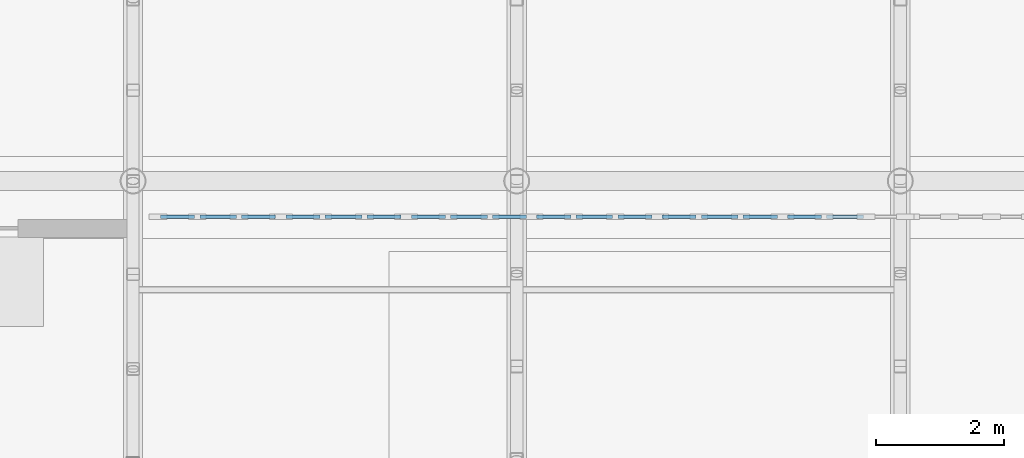
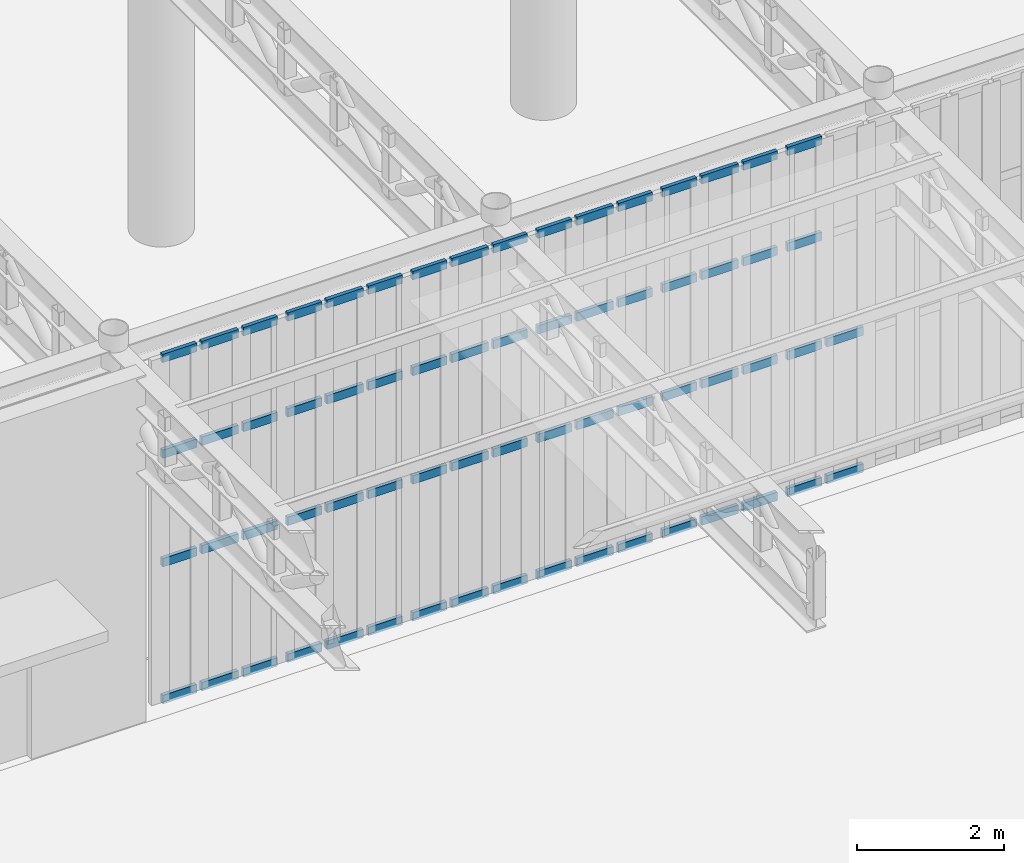
# One storey, part 52 of 118: 66 members, 6 elements without a shape of their own.
"""IFC4 building model written with IfcOpenShell, lengths in metres."""

from ifc_helpers import new_model, si_unit, direction, frame, origin, origin_2d, place, context, subcontext, project, spatial, rectangle, extrude, material, material_profile, profile_set, type_object, element, aggregate, save


model = new_model("IFC4")

# Units and contexts
model_context = context("Model", 3, precision=1e-05, world=origin(), true_north=direction((0.0, 1.0)))
body_context = subcontext(model_context, "Body", "Model", "MODEL_VIEW")
ifc_project = project(units=[si_unit("LENGTHUNIT", "METRE"), si_unit("AREAUNIT", "SQUARE_METRE"), si_unit("VOLUMEUNIT", "CUBIC_METRE"), si_unit("PLANEANGLEUNIT", "RADIAN"), si_unit("MASSUNIT", "GRAM", prefix="KILO")], contexts=[model_context])

# Site, building, storey
site_placement = place(None, origin())
site = spatial("IfcSite", under=ifc_project, at=site_placement, CompositionType="ELEMENT")
building_placement = place(site_placement, origin())
building = spatial("IfcBuilding", under=site, at=building_placement, Name="Kolvaren Corner Interchange", CompositionType="ELEMENT")
storey_placement = place(building_placement, origin())
storey = spatial("IfcBuildingStorey", under=building, at=storey_placement, Name="L01", CompositionType="ELEMENT", Elevation=0.0)

# Curtain wall, members
ifc_material_1 = material(Name="Unitised Aluminium and Solar-Control Glass Curtain Wall", Category="aluminium")
curtain_wall_type = type_object("IfcCurtainWallType", Name="CW-V1-PORTAL", PredefinedType="NOTDEFINED", material=ifc_material_1)
curtain_wall_1_placement = place(storey_placement, origin())
curtain_wall_1 = element("IfcCurtainWall", 1, at=curtain_wall_1_placement, inside=storey, type_object=curtain_wall_type, Name="South Portal Ground Curtain Wall Bay 01", PredefinedType="NOTDEFINED")
ifc_material_2 = material(Name="Anodised Aluminium Framing", Category="aluminium")
ifc_material_profile = material_profile(ifc_material_2, rectangle(XDim=0.06005859375, YDim=0.139892578125, at=origin_2d()), Name="ALU 60x140")
ifc_profile_set = profile_set([ifc_material_profile], Name="Anodised Aluminium Framing")
member_type = type_object("IfcMemberType", Name="TRN-ALU60x140", PredefinedType="USERDEFINED", material=ifc_profile_set)
member_1_placement = place(storey_placement, frame((72.429931640625, 24.340087890625, 0.030029296875), z_axis=(1.0, 0.0, 0.0), x_axis=(0.0, 1.0, 0.0)))
member_1 = element("IfcMember", 2, at=member_1_placement, type_object=member_type, Name="CW-001 transom 1.1", ObjectType="TRANSOM", PredefinedType="USERDEFINED", context=body_context, shape_type="SweptSolid", body=[
    extrude(rectangle(XDim=0.06005859375, YDim=0.139892578125, at=origin_2d()), origin(), (0.0, 0.0, 1.0), 0.53369140625),
])
member_2_placement = place(storey_placement, frame((72.429931640625, 24.340087890625, 2.300048828125), z_axis=(1.0, 0.0, 0.0), x_axis=(0.0, 1.0, 0.0)))
member_2 = element("IfcMember", 3, at=member_2_placement, type_object=member_type, Name="CW-001 transom 1.2", ObjectType="TRANSOM", PredefinedType="USERDEFINED", context=body_context, shape_type="SweptSolid", body=[
    extrude(rectangle(XDim=0.06005859375, YDim=0.139892578125, at=origin_2d()), origin(), (0.0, 0.0, 1.0), 0.53369140625),
])
member_3_placement = place(storey_placement, frame((72.429931640625, 24.340087890625, 4.10009765625), z_axis=(1.0, 0.0, 0.0), x_axis=(0.0, 1.0, 0.0)))
member_3 = element("IfcMember", 4, at=member_3_placement, type_object=member_type, Name="CW-001 transom 1.3", ObjectType="TRANSOM", PredefinedType="USERDEFINED", context=body_context, shape_type="SweptSolid", body=[
    extrude(rectangle(XDim=0.06005859375, YDim=0.139892578125, at=origin_2d()), origin(), (0.0, 0.0, 1.0), 0.53369140625),
])
member_4_placement = place(storey_placement, frame((72.429931640625, 24.340087890625, 5.68994140625), z_axis=(1.0, 0.0, 0.0), x_axis=(0.0, 1.0, 0.0)))
member_4 = element("IfcMember", 5, at=member_4_placement, type_object=member_type, Name="CW-001 transom 1.4", ObjectType="TRANSOM", PredefinedType="USERDEFINED", context=body_context, shape_type="SweptSolid", body=[
    extrude(rectangle(XDim=0.06005859375, YDim=0.139892578125, at=origin_2d()), origin(), (0.0, 0.0, 1.0), 0.53369140625),
])
member_5_placement = place(storey_placement, frame((73.043701171875, 24.340087890625, 0.030029296875), z_axis=(1.0, 0.0, 0.0), x_axis=(0.0, 1.0, 0.0)))
member_5 = element("IfcMember", 6, at=member_5_placement, type_object=member_type, Name="CW-001 transom 2.1", ObjectType="TRANSOM", PredefinedType="USERDEFINED", context=body_context, shape_type="SweptSolid", body=[
    extrude(rectangle(XDim=0.06005859375, YDim=0.139892578125, at=origin_2d()), origin(), (0.0, 0.0, 1.0), 0.57373046875),
])
member_6_placement = place(storey_placement, frame((73.043701171875, 24.340087890625, 2.300048828125), z_axis=(1.0, 0.0, 0.0), x_axis=(0.0, 1.0, 0.0)))
member_6 = element("IfcMember", 7, at=member_6_placement, type_object=member_type, Name="CW-001 transom 2.2", ObjectType="TRANSOM", PredefinedType="USERDEFINED", context=body_context, shape_type="SweptSolid", body=[
    extrude(rectangle(XDim=0.06005859375, YDim=0.139892578125, at=origin_2d()), origin(), (0.0, 0.0, 1.0), 0.57373046875),
])
member_7_placement = place(storey_placement, frame((73.043701171875, 24.340087890625, 4.10009765625), z_axis=(1.0, 0.0, 0.0), x_axis=(0.0, 1.0, 0.0)))
member_7 = element("IfcMember", 8, at=member_7_placement, type_object=member_type, Name="CW-001 transom 2.3", ObjectType="TRANSOM", PredefinedType="USERDEFINED", context=body_context, shape_type="SweptSolid", body=[
    extrude(rectangle(XDim=0.06005859375, YDim=0.139892578125, at=origin_2d()), origin(), (0.0, 0.0, 1.0), 0.57373046875),
])
member_8_placement = place(storey_placement, frame((73.043701171875, 24.340087890625, 5.68994140625), z_axis=(1.0, 0.0, 0.0), x_axis=(0.0, 1.0, 0.0)))
member_8 = element("IfcMember", 9, at=member_8_placement, type_object=member_type, Name="CW-001 transom 2.4", ObjectType="TRANSOM", PredefinedType="USERDEFINED", context=body_context, shape_type="SweptSolid", body=[
    extrude(rectangle(XDim=0.06005859375, YDim=0.139892578125, at=origin_2d()), origin(), (0.0, 0.0, 1.0), 0.57373046875),
])
member_9_placement = place(storey_placement, frame((73.697509765625, 24.340087890625, 0.030029296875), z_axis=(1.0, 0.0, 0.0), x_axis=(0.0, 1.0, 0.0)))
member_9 = element("IfcMember", 10, at=member_9_placement, type_object=member_type, Name="CW-001 transom 3.1", ObjectType="TRANSOM", PredefinedType="USERDEFINED", context=body_context, shape_type="SweptSolid", body=[
    extrude(rectangle(XDim=0.06005859375, YDim=0.139892578125, at=origin_2d()), origin(), (0.0, 0.0, 1.0), 0.53369140625),
])
member_10_placement = place(storey_placement, frame((73.697509765625, 24.340087890625, 2.300048828125), z_axis=(1.0, 0.0, 0.0), x_axis=(0.0, 1.0, 0.0)))
member_10 = element("IfcMember", 11, at=member_10_placement, type_object=member_type, Name="CW-001 transom 3.2", ObjectType="TRANSOM", PredefinedType="USERDEFINED", context=body_context, shape_type="SweptSolid", body=[
    extrude(rectangle(XDim=0.06005859375, YDim=0.139892578125, at=origin_2d()), origin(), (0.0, 0.0, 1.0), 0.53369140625),
])
member_11_placement = place(storey_placement, frame((73.697509765625, 24.340087890625, 4.10009765625), z_axis=(1.0, 0.0, 0.0), x_axis=(0.0, 1.0, 0.0)))
member_11 = element("IfcMember", 12, at=member_11_placement, type_object=member_type, Name="CW-001 transom 3.3", ObjectType="TRANSOM", PredefinedType="USERDEFINED", context=body_context, shape_type="SweptSolid", body=[
    extrude(rectangle(XDim=0.06005859375, YDim=0.139892578125, at=origin_2d()), origin(), (0.0, 0.0, 1.0), 0.53369140625),
])
member_12_placement = place(storey_placement, frame((73.697509765625, 24.340087890625, 5.68994140625), z_axis=(1.0, 0.0, 0.0), x_axis=(0.0, 1.0, 0.0)))
member_12 = element("IfcMember", 13, at=member_12_placement, type_object=member_type, Name="CW-001 transom 3.4", ObjectType="TRANSOM", PredefinedType="USERDEFINED", context=body_context, shape_type="SweptSolid", body=[
    extrude(rectangle(XDim=0.06005859375, YDim=0.139892578125, at=origin_2d()), origin(), (0.0, 0.0, 1.0), 0.53369140625),
])
aggregate(curtain_wall_1, [member_1, member_2, member_3, member_4, member_5, member_6, member_7, member_8, member_9, member_10, member_11, member_12])

curtain_wall_2_placement = place(storey_placement, origin())
curtain_wall_2 = element("IfcCurtainWall", 14, at=curtain_wall_2_placement, inside=storey, type_object=curtain_wall_type, Name="South Portal Ground Curtain Wall Bay 02", PredefinedType="NOTDEFINED")
member_13_placement = place(storey_placement, frame((74.39111328125, 24.340087890625, 0.030029296875), z_axis=(1.0, 0.0, 0.0), x_axis=(0.0, 1.0, 0.0)))
member_13 = element("IfcMember", 15, at=member_13_placement, type_object=member_type, Name="CW-002 transom 1.1", ObjectType="TRANSOM", PredefinedType="USERDEFINED", context=body_context, shape_type="SweptSolid", body=[
    extrude(rectangle(XDim=0.06005859375, YDim=0.139892578125, at=origin_2d()), origin(), (0.0, 0.0, 1.0), 0.53369140625),
])
member_14_placement = place(storey_placement, frame((74.39111328125, 24.340087890625, 2.300048828125), z_axis=(1.0, 0.0, 0.0), x_axis=(0.0, 1.0, 0.0)))
member_14 = element("IfcMember", 16, at=member_14_placement, type_object=member_type, Name="CW-002 transom 1.2", ObjectType="TRANSOM", PredefinedType="USERDEFINED", context=body_context, shape_type="SweptSolid", body=[
    extrude(rectangle(XDim=0.06005859375, YDim=0.139892578125, at=origin_2d()), origin(), (0.0, 0.0, 1.0), 0.53369140625),
])
member_15_placement = place(storey_placement, frame((74.39111328125, 24.340087890625, 4.10009765625), z_axis=(1.0, 0.0, 0.0), x_axis=(0.0, 1.0, 0.0)))
member_15 = element("IfcMember", 17, at=member_15_placement, type_object=member_type, Name="CW-002 transom 1.3", ObjectType="TRANSOM", PredefinedType="USERDEFINED", context=body_context, shape_type="SweptSolid", body=[
    extrude(rectangle(XDim=0.06005859375, YDim=0.139892578125, at=origin_2d()), origin(), (0.0, 0.0, 1.0), 0.53369140625),
])
member_16_placement = place(storey_placement, frame((74.39111328125, 24.340087890625, 5.68994140625), z_axis=(1.0, 0.0, 0.0), x_axis=(0.0, 1.0, 0.0)))
member_16 = element("IfcMember", 18, at=member_16_placement, type_object=member_type, Name="CW-002 transom 1.4", ObjectType="TRANSOM", PredefinedType="USERDEFINED", context=body_context, shape_type="SweptSolid", body=[
    extrude(rectangle(XDim=0.06005859375, YDim=0.139892578125, at=origin_2d()), origin(), (0.0, 0.0, 1.0), 0.53369140625),
])
member_17_placement = place(storey_placement, frame((75.0048828125, 24.340087890625, 0.030029296875), z_axis=(1.0, 0.0, 0.0), x_axis=(0.0, 1.0, 0.0)))
member_17 = element("IfcMember", 19, at=member_17_placement, type_object=member_type, Name="CW-002 transom 2.1", ObjectType="TRANSOM", PredefinedType="USERDEFINED", context=body_context, shape_type="SweptSolid", body=[
    extrude(rectangle(XDim=0.06005859375, YDim=0.139892578125, at=origin_2d()), origin(), (0.0, 0.0, 1.0), 0.57373046875),
])
member_18_placement = place(storey_placement, frame((75.0048828125, 24.340087890625, 2.300048828125), z_axis=(1.0, 0.0, 0.0), x_axis=(0.0, 1.0, 0.0)))
member_18 = element("IfcMember", 20, at=member_18_placement, type_object=member_type, Name="CW-002 transom 2.2", ObjectType="TRANSOM", PredefinedType="USERDEFINED", context=body_context, shape_type="SweptSolid", body=[
    extrude(rectangle(XDim=0.06005859375, YDim=0.139892578125, at=origin_2d()), origin(), (0.0, 0.0, 1.0), 0.57373046875),
])
member_19_placement = place(storey_placement, frame((75.0048828125, 24.340087890625, 4.10009765625), z_axis=(1.0, 0.0, 0.0), x_axis=(0.0, 1.0, 0.0)))
member_19 = element("IfcMember", 21, at=member_19_placement, type_object=member_type, Name="CW-002 transom 2.3", ObjectType="TRANSOM", PredefinedType="USERDEFINED", context=body_context, shape_type="SweptSolid", body=[
    extrude(rectangle(XDim=0.06005859375, YDim=0.139892578125, at=origin_2d()), origin(), (0.0, 0.0, 1.0), 0.57373046875),
])
member_20_placement = place(storey_placement, frame((75.0048828125, 24.340087890625, 5.68994140625), z_axis=(1.0, 0.0, 0.0), x_axis=(0.0, 1.0, 0.0)))
member_20 = element("IfcMember", 22, at=member_20_placement, type_object=member_type, Name="CW-002 transom 2.4", ObjectType="TRANSOM", PredefinedType="USERDEFINED", context=body_context, shape_type="SweptSolid", body=[
    extrude(rectangle(XDim=0.06005859375, YDim=0.139892578125, at=origin_2d()), origin(), (0.0, 0.0, 1.0), 0.57373046875),
])
member_21_placement = place(storey_placement, frame((75.658447265625, 24.340087890625, 0.030029296875), z_axis=(1.0, 0.0, 0.0), x_axis=(0.0, 1.0, 0.0)))
member_21 = element("IfcMember", 23, at=member_21_placement, type_object=member_type, Name="CW-002 transom 3.1", ObjectType="TRANSOM", PredefinedType="USERDEFINED", context=body_context, shape_type="SweptSolid", body=[
    extrude(rectangle(XDim=0.06005859375, YDim=0.139892578125, at=origin_2d()), origin(), (0.0, 0.0, 1.0), 0.53369140625),
])
member_22_placement = place(storey_placement, frame((75.658447265625, 24.340087890625, 2.300048828125), z_axis=(1.0, 0.0, 0.0), x_axis=(0.0, 1.0, 0.0)))
member_22 = element("IfcMember", 24, at=member_22_placement, type_object=member_type, Name="CW-002 transom 3.2", ObjectType="TRANSOM", PredefinedType="USERDEFINED", context=body_context, shape_type="SweptSolid", body=[
    extrude(rectangle(XDim=0.06005859375, YDim=0.139892578125, at=origin_2d()), origin(), (0.0, 0.0, 1.0), 0.53369140625),
])
member_23_placement = place(storey_placement, frame((75.658447265625, 24.340087890625, 4.10009765625), z_axis=(1.0, 0.0, 0.0), x_axis=(0.0, 1.0, 0.0)))
member_23 = element("IfcMember", 25, at=member_23_placement, type_object=member_type, Name="CW-002 transom 3.3", ObjectType="TRANSOM", PredefinedType="USERDEFINED", context=body_context, shape_type="SweptSolid", body=[
    extrude(rectangle(XDim=0.06005859375, YDim=0.139892578125, at=origin_2d()), origin(), (0.0, 0.0, 1.0), 0.53369140625),
])
member_24_placement = place(storey_placement, frame((75.658447265625, 24.340087890625, 5.68994140625), z_axis=(1.0, 0.0, 0.0), x_axis=(0.0, 1.0, 0.0)))
member_24 = element("IfcMember", 26, at=member_24_placement, type_object=member_type, Name="CW-002 transom 3.4", ObjectType="TRANSOM", PredefinedType="USERDEFINED", context=body_context, shape_type="SweptSolid", body=[
    extrude(rectangle(XDim=0.06005859375, YDim=0.139892578125, at=origin_2d()), origin(), (0.0, 0.0, 1.0), 0.53369140625),
])
aggregate(curtain_wall_2, [member_13, member_14, member_15, member_16, member_17, member_18, member_19, member_20, member_21, member_22, member_23, member_24])

curtain_wall_3_placement = place(storey_placement, origin())
curtain_wall_3 = element("IfcCurtainWall", 27, at=curtain_wall_3_placement, inside=storey, type_object=curtain_wall_type, Name="South Portal Ground Curtain Wall Bay 03", PredefinedType="NOTDEFINED")
member_25_placement = place(storey_placement, frame((76.352294921875, 24.340087890625, 0.030029296875), z_axis=(1.0, 0.0, 0.0), x_axis=(0.0, 1.0, 0.0)))
member_25 = element("IfcMember", 28, at=member_25_placement, type_object=member_type, Name="CW-003 transom 1.1", ObjectType="TRANSOM", PredefinedType="USERDEFINED", context=body_context, shape_type="SweptSolid", body=[
    extrude(rectangle(XDim=0.06005859375, YDim=0.139892578125, at=origin_2d()), origin(), (0.0, 0.0, 1.0), 0.53369140625),
])
member_26_placement = place(storey_placement, frame((76.352294921875, 24.340087890625, 2.300048828125), z_axis=(1.0, 0.0, 0.0), x_axis=(0.0, 1.0, 0.0)))
member_26 = element("IfcMember", 29, at=member_26_placement, type_object=member_type, Name="CW-003 transom 1.2", ObjectType="TRANSOM", PredefinedType="USERDEFINED", context=body_context, shape_type="SweptSolid", body=[
    extrude(rectangle(XDim=0.06005859375, YDim=0.139892578125, at=origin_2d()), origin(), (0.0, 0.0, 1.0), 0.53369140625),
])
member_27_placement = place(storey_placement, frame((76.352294921875, 24.340087890625, 4.10009765625), z_axis=(1.0, 0.0, 0.0), x_axis=(0.0, 1.0, 0.0)))
member_27 = element("IfcMember", 30, at=member_27_placement, type_object=member_type, Name="CW-003 transom 1.3", ObjectType="TRANSOM", PredefinedType="USERDEFINED", context=body_context, shape_type="SweptSolid", body=[
    extrude(rectangle(XDim=0.06005859375, YDim=0.139892578125, at=origin_2d()), origin(), (0.0, 0.0, 1.0), 0.53369140625),
])
member_28_placement = place(storey_placement, frame((76.352294921875, 24.340087890625, 5.68994140625), z_axis=(1.0, 0.0, 0.0), x_axis=(0.0, 1.0, 0.0)))
member_28 = element("IfcMember", 31, at=member_28_placement, type_object=member_type, Name="CW-003 transom 1.4", ObjectType="TRANSOM", PredefinedType="USERDEFINED", context=body_context, shape_type="SweptSolid", body=[
    extrude(rectangle(XDim=0.06005859375, YDim=0.139892578125, at=origin_2d()), origin(), (0.0, 0.0, 1.0), 0.53369140625),
])
member_29_placement = place(storey_placement, frame((76.9658203125, 24.340087890625, 0.030029296875), z_axis=(1.0, 0.0, 0.0), x_axis=(0.0, 1.0, 0.0)))
member_29 = element("IfcMember", 32, at=member_29_placement, type_object=member_type, Name="CW-003 transom 2.1", ObjectType="TRANSOM", PredefinedType="USERDEFINED", context=body_context, shape_type="SweptSolid", body=[
    extrude(rectangle(XDim=0.06005859375, YDim=0.139892578125, at=origin_2d()), origin(), (0.0, 0.0, 1.0), 0.57373046875),
])
member_30_placement = place(storey_placement, frame((76.9658203125, 24.340087890625, 2.300048828125), z_axis=(1.0, 0.0, 0.0), x_axis=(0.0, 1.0, 0.0)))
member_30 = element("IfcMember", 33, at=member_30_placement, type_object=member_type, Name="CW-003 transom 2.2", ObjectType="TRANSOM", PredefinedType="USERDEFINED", context=body_context, shape_type="SweptSolid", body=[
    extrude(rectangle(XDim=0.06005859375, YDim=0.139892578125, at=origin_2d()), origin(), (0.0, 0.0, 1.0), 0.57373046875),
])
member_31_placement = place(storey_placement, frame((76.9658203125, 24.340087890625, 4.10009765625), z_axis=(1.0, 0.0, 0.0), x_axis=(0.0, 1.0, 0.0)))
member_31 = element("IfcMember", 34, at=member_31_placement, type_object=member_type, Name="CW-003 transom 2.3", ObjectType="TRANSOM", PredefinedType="USERDEFINED", context=body_context, shape_type="SweptSolid", body=[
    extrude(rectangle(XDim=0.06005859375, YDim=0.139892578125, at=origin_2d()), origin(), (0.0, 0.0, 1.0), 0.57373046875),
])
member_32_placement = place(storey_placement, frame((76.9658203125, 24.340087890625, 5.68994140625), z_axis=(1.0, 0.0, 0.0), x_axis=(0.0, 1.0, 0.0)))
member_32 = element("IfcMember", 35, at=member_32_placement, type_object=member_type, Name="CW-003 transom 2.4", ObjectType="TRANSOM", PredefinedType="USERDEFINED", context=body_context, shape_type="SweptSolid", body=[
    extrude(rectangle(XDim=0.06005859375, YDim=0.139892578125, at=origin_2d()), origin(), (0.0, 0.0, 1.0), 0.57373046875),
])
member_33_placement = place(storey_placement, frame((77.61962890625, 24.340087890625, 0.030029296875), z_axis=(1.0, 0.0, 0.0), x_axis=(0.0, 1.0, 0.0)))
member_33 = element("IfcMember", 36, at=member_33_placement, type_object=member_type, Name="CW-003 transom 3.1", ObjectType="TRANSOM", PredefinedType="USERDEFINED", context=body_context, shape_type="SweptSolid", body=[
    extrude(rectangle(XDim=0.06005859375, YDim=0.139892578125, at=origin_2d()), origin(), (0.0, 0.0, 1.0), 0.53369140625),
])
member_34_placement = place(storey_placement, frame((77.61962890625, 24.340087890625, 2.300048828125), z_axis=(1.0, 0.0, 0.0), x_axis=(0.0, 1.0, 0.0)))
member_34 = element("IfcMember", 37, at=member_34_placement, type_object=member_type, Name="CW-003 transom 3.2", ObjectType="TRANSOM", PredefinedType="USERDEFINED", context=body_context, shape_type="SweptSolid", body=[
    extrude(rectangle(XDim=0.06005859375, YDim=0.139892578125, at=origin_2d()), origin(), (0.0, 0.0, 1.0), 0.53369140625),
])
member_35_placement = place(storey_placement, frame((77.61962890625, 24.340087890625, 4.10009765625), z_axis=(1.0, 0.0, 0.0), x_axis=(0.0, 1.0, 0.0)))
member_35 = element("IfcMember", 38, at=member_35_placement, type_object=member_type, Name="CW-003 transom 3.3", ObjectType="TRANSOM", PredefinedType="USERDEFINED", context=body_context, shape_type="SweptSolid", body=[
    extrude(rectangle(XDim=0.06005859375, YDim=0.139892578125, at=origin_2d()), origin(), (0.0, 0.0, 1.0), 0.53369140625),
])
member_36_placement = place(storey_placement, frame((77.61962890625, 24.340087890625, 5.68994140625), z_axis=(1.0, 0.0, 0.0), x_axis=(0.0, 1.0, 0.0)))
member_36 = element("IfcMember", 39, at=member_36_placement, type_object=member_type, Name="CW-003 transom 3.4", ObjectType="TRANSOM", PredefinedType="USERDEFINED", context=body_context, shape_type="SweptSolid", body=[
    extrude(rectangle(XDim=0.06005859375, YDim=0.139892578125, at=origin_2d()), origin(), (0.0, 0.0, 1.0), 0.53369140625),
])
aggregate(curtain_wall_3, [member_25, member_26, member_27, member_28, member_29, member_30, member_31, member_32, member_33, member_34, member_35, member_36])

curtain_wall_4_placement = place(storey_placement, origin())
curtain_wall_4 = element("IfcCurtainWall", 40, at=curtain_wall_4_placement, inside=storey, type_object=curtain_wall_type, Name="South Portal Ground Curtain Wall Bay 04", PredefinedType="NOTDEFINED")
member_37_placement = place(storey_placement, frame((78.313232421875, 24.340087890625, 0.030029296875), z_axis=(1.0, 0.0, 0.0), x_axis=(0.0, 1.0, 0.0)))
member_37 = element("IfcMember", 41, at=member_37_placement, type_object=member_type, Name="CW-004 transom 1.1", ObjectType="TRANSOM", PredefinedType="USERDEFINED", context=body_context, shape_type="SweptSolid", body=[
    extrude(rectangle(XDim=0.06005859375, YDim=0.139892578125, at=origin_2d()), origin(), (0.0, 0.0, 1.0), 0.53369140625),
])
member_38_placement = place(storey_placement, frame((78.313232421875, 24.340087890625, 2.300048828125), z_axis=(1.0, 0.0, 0.0), x_axis=(0.0, 1.0, 0.0)))
member_38 = element("IfcMember", 42, at=member_38_placement, type_object=member_type, Name="CW-004 transom 1.2", ObjectType="TRANSOM", PredefinedType="USERDEFINED", context=body_context, shape_type="SweptSolid", body=[
    extrude(rectangle(XDim=0.06005859375, YDim=0.139892578125, at=origin_2d()), origin(), (0.0, 0.0, 1.0), 0.53369140625),
])
member_39_placement = place(storey_placement, frame((78.313232421875, 24.340087890625, 4.10009765625), z_axis=(1.0, 0.0, 0.0), x_axis=(0.0, 1.0, 0.0)))
member_39 = element("IfcMember", 43, at=member_39_placement, type_object=member_type, Name="CW-004 transom 1.3", ObjectType="TRANSOM", PredefinedType="USERDEFINED", context=body_context, shape_type="SweptSolid", body=[
    extrude(rectangle(XDim=0.06005859375, YDim=0.139892578125, at=origin_2d()), origin(), (0.0, 0.0, 1.0), 0.53369140625),
])
member_40_placement = place(storey_placement, frame((78.313232421875, 24.340087890625, 5.68994140625), z_axis=(1.0, 0.0, 0.0), x_axis=(0.0, 1.0, 0.0)))
member_40 = element("IfcMember", 44, at=member_40_placement, type_object=member_type, Name="CW-004 transom 1.4", ObjectType="TRANSOM", PredefinedType="USERDEFINED", context=body_context, shape_type="SweptSolid", body=[
    extrude(rectangle(XDim=0.06005859375, YDim=0.139892578125, at=origin_2d()), origin(), (0.0, 0.0, 1.0), 0.53369140625),
])
member_41_placement = place(storey_placement, frame((78.927001953125, 24.340087890625, 0.030029296875), z_axis=(1.0, 0.0, 0.0), x_axis=(0.0, 1.0, 0.0)))
member_41 = element("IfcMember", 45, at=member_41_placement, type_object=member_type, Name="CW-004 transom 2.1", ObjectType="TRANSOM", PredefinedType="USERDEFINED", context=body_context, shape_type="SweptSolid", body=[
    extrude(rectangle(XDim=0.06005859375, YDim=0.139892578125, at=origin_2d()), origin(), (0.0, 0.0, 1.0), 0.57373046875),
])
member_42_placement = place(storey_placement, frame((78.927001953125, 24.340087890625, 2.300048828125), z_axis=(1.0, 0.0, 0.0), x_axis=(0.0, 1.0, 0.0)))
member_42 = element("IfcMember", 46, at=member_42_placement, type_object=member_type, Name="CW-004 transom 2.2", ObjectType="TRANSOM", PredefinedType="USERDEFINED", context=body_context, shape_type="SweptSolid", body=[
    extrude(rectangle(XDim=0.06005859375, YDim=0.139892578125, at=origin_2d()), origin(), (0.0, 0.0, 1.0), 0.57373046875),
])
member_43_placement = place(storey_placement, frame((78.927001953125, 24.340087890625, 4.10009765625), z_axis=(1.0, 0.0, 0.0), x_axis=(0.0, 1.0, 0.0)))
member_43 = element("IfcMember", 47, at=member_43_placement, type_object=member_type, Name="CW-004 transom 2.3", ObjectType="TRANSOM", PredefinedType="USERDEFINED", context=body_context, shape_type="SweptSolid", body=[
    extrude(rectangle(XDim=0.06005859375, YDim=0.139892578125, at=origin_2d()), origin(), (0.0, 0.0, 1.0), 0.57373046875),
])
member_44_placement = place(storey_placement, frame((78.927001953125, 24.340087890625, 5.68994140625), z_axis=(1.0, 0.0, 0.0), x_axis=(0.0, 1.0, 0.0)))
member_44 = element("IfcMember", 48, at=member_44_placement, type_object=member_type, Name="CW-004 transom 2.4", ObjectType="TRANSOM", PredefinedType="USERDEFINED", context=body_context, shape_type="SweptSolid", body=[
    extrude(rectangle(XDim=0.06005859375, YDim=0.139892578125, at=origin_2d()), origin(), (0.0, 0.0, 1.0), 0.57373046875),
])
member_45_placement = place(storey_placement, frame((79.580810546875, 24.340087890625, 0.030029296875), z_axis=(1.0, 0.0, 0.0), x_axis=(0.0, 1.0, 0.0)))
member_45 = element("IfcMember", 49, at=member_45_placement, type_object=member_type, Name="CW-004 transom 3.1", ObjectType="TRANSOM", PredefinedType="USERDEFINED", context=body_context, shape_type="SweptSolid", body=[
    extrude(rectangle(XDim=0.06005859375, YDim=0.139892578125, at=origin_2d()), origin(), (0.0, 0.0, 1.0), 0.53369140625),
])
member_46_placement = place(storey_placement, frame((79.580810546875, 24.340087890625, 2.300048828125), z_axis=(1.0, 0.0, 0.0), x_axis=(0.0, 1.0, 0.0)))
member_46 = element("IfcMember", 50, at=member_46_placement, type_object=member_type, Name="CW-004 transom 3.2", ObjectType="TRANSOM", PredefinedType="USERDEFINED", context=body_context, shape_type="SweptSolid", body=[
    extrude(rectangle(XDim=0.06005859375, YDim=0.139892578125, at=origin_2d()), origin(), (0.0, 0.0, 1.0), 0.53369140625),
])
member_47_placement = place(storey_placement, frame((79.580810546875, 24.340087890625, 4.10009765625), z_axis=(1.0, 0.0, 0.0), x_axis=(0.0, 1.0, 0.0)))
member_47 = element("IfcMember", 51, at=member_47_placement, type_object=member_type, Name="CW-004 transom 3.3", ObjectType="TRANSOM", PredefinedType="USERDEFINED", context=body_context, shape_type="SweptSolid", body=[
    extrude(rectangle(XDim=0.06005859375, YDim=0.139892578125, at=origin_2d()), origin(), (0.0, 0.0, 1.0), 0.53369140625),
])
member_48_placement = place(storey_placement, frame((79.580810546875, 24.340087890625, 5.68994140625), z_axis=(1.0, 0.0, 0.0), x_axis=(0.0, 1.0, 0.0)))
member_48 = element("IfcMember", 52, at=member_48_placement, type_object=member_type, Name="CW-004 transom 3.4", ObjectType="TRANSOM", PredefinedType="USERDEFINED", context=body_context, shape_type="SweptSolid", body=[
    extrude(rectangle(XDim=0.06005859375, YDim=0.139892578125, at=origin_2d()), origin(), (0.0, 0.0, 1.0), 0.53369140625),
])
aggregate(curtain_wall_4, [member_37, member_38, member_39, member_40, member_41, member_42, member_43, member_44, member_45, member_46, member_47, member_48])

curtain_wall_5_placement = place(storey_placement, origin())
curtain_wall_5 = element("IfcCurtainWall", 53, at=curtain_wall_5_placement, inside=storey, type_object=curtain_wall_type, Name="South Portal Ground Curtain Wall Bay 05", PredefinedType="NOTDEFINED")
member_49_placement = place(storey_placement, frame((80.2744140625, 24.340087890625, 0.030029296875), z_axis=(1.0, 0.0, 0.0), x_axis=(0.0, 1.0, 0.0)))
member_49 = element("IfcMember", 54, at=member_49_placement, type_object=member_type, Name="CW-005 transom 1.1", ObjectType="TRANSOM", PredefinedType="USERDEFINED", context=body_context, shape_type="SweptSolid", body=[
    extrude(rectangle(XDim=0.06005859375, YDim=0.139892578125, at=origin_2d()), origin(), (0.0, 0.0, 1.0), 0.53369140625),
])
member_50_placement = place(storey_placement, frame((80.2744140625, 24.340087890625, 2.300048828125), z_axis=(1.0, 0.0, 0.0), x_axis=(0.0, 1.0, 0.0)))
member_50 = element("IfcMember", 55, at=member_50_placement, type_object=member_type, Name="CW-005 transom 1.2", ObjectType="TRANSOM", PredefinedType="USERDEFINED", context=body_context, shape_type="SweptSolid", body=[
    extrude(rectangle(XDim=0.06005859375, YDim=0.139892578125, at=origin_2d()), origin(), (0.0, 0.0, 1.0), 0.53369140625),
])
member_51_placement = place(storey_placement, frame((80.2744140625, 24.340087890625, 4.10009765625), z_axis=(1.0, 0.0, 0.0), x_axis=(0.0, 1.0, 0.0)))
member_51 = element("IfcMember", 56, at=member_51_placement, type_object=member_type, Name="CW-005 transom 1.3", ObjectType="TRANSOM", PredefinedType="USERDEFINED", context=body_context, shape_type="SweptSolid", body=[
    extrude(rectangle(XDim=0.06005859375, YDim=0.139892578125, at=origin_2d()), origin(), (0.0, 0.0, 1.0), 0.53369140625),
])
member_52_placement = place(storey_placement, frame((80.2744140625, 24.340087890625, 5.68994140625), z_axis=(1.0, 0.0, 0.0), x_axis=(0.0, 1.0, 0.0)))
member_52 = element("IfcMember", 57, at=member_52_placement, type_object=member_type, Name="CW-005 transom 1.4", ObjectType="TRANSOM", PredefinedType="USERDEFINED", context=body_context, shape_type="SweptSolid", body=[
    extrude(rectangle(XDim=0.06005859375, YDim=0.139892578125, at=origin_2d()), origin(), (0.0, 0.0, 1.0), 0.53369140625),
])
member_53_placement = place(storey_placement, frame((80.88818359375, 24.340087890625, 0.030029296875), z_axis=(1.0, 0.0, 0.0), x_axis=(0.0, 1.0, 0.0)))
member_53 = element("IfcMember", 58, at=member_53_placement, type_object=member_type, Name="CW-005 transom 2.1", ObjectType="TRANSOM", PredefinedType="USERDEFINED", context=body_context, shape_type="SweptSolid", body=[
    extrude(rectangle(XDim=0.06005859375, YDim=0.139892578125, at=origin_2d()), origin(), (0.0, 0.0, 1.0), 0.57373046875),
])
member_54_placement = place(storey_placement, frame((80.88818359375, 24.340087890625, 2.300048828125), z_axis=(1.0, 0.0, 0.0), x_axis=(0.0, 1.0, 0.0)))
member_54 = element("IfcMember", 59, at=member_54_placement, type_object=member_type, Name="CW-005 transom 2.2", ObjectType="TRANSOM", PredefinedType="USERDEFINED", context=body_context, shape_type="SweptSolid", body=[
    extrude(rectangle(XDim=0.06005859375, YDim=0.139892578125, at=origin_2d()), origin(), (0.0, 0.0, 1.0), 0.57373046875),
])
member_55_placement = place(storey_placement, frame((80.88818359375, 24.340087890625, 4.10009765625), z_axis=(1.0, 0.0, 0.0), x_axis=(0.0, 1.0, 0.0)))
member_55 = element("IfcMember", 60, at=member_55_placement, type_object=member_type, Name="CW-005 transom 2.3", ObjectType="TRANSOM", PredefinedType="USERDEFINED", context=body_context, shape_type="SweptSolid", body=[
    extrude(rectangle(XDim=0.06005859375, YDim=0.139892578125, at=origin_2d()), origin(), (0.0, 0.0, 1.0), 0.57373046875),
])
member_56_placement = place(storey_placement, frame((80.88818359375, 24.340087890625, 5.68994140625), z_axis=(1.0, 0.0, 0.0), x_axis=(0.0, 1.0, 0.0)))
member_56 = element("IfcMember", 61, at=member_56_placement, type_object=member_type, Name="CW-005 transom 2.4", ObjectType="TRANSOM", PredefinedType="USERDEFINED", context=body_context, shape_type="SweptSolid", body=[
    extrude(rectangle(XDim=0.06005859375, YDim=0.139892578125, at=origin_2d()), origin(), (0.0, 0.0, 1.0), 0.57373046875),
])
member_57_placement = place(storey_placement, frame((81.541748046875, 24.340087890625, 0.030029296875), z_axis=(1.0, 0.0, 0.0), x_axis=(0.0, 1.0, 0.0)))
member_57 = element("IfcMember", 62, at=member_57_placement, type_object=member_type, Name="CW-005 transom 3.1", ObjectType="TRANSOM", PredefinedType="USERDEFINED", context=body_context, shape_type="SweptSolid", body=[
    extrude(rectangle(XDim=0.06005859375, YDim=0.139892578125, at=origin_2d()), origin(), (0.0, 0.0, 1.0), 0.533935546875),
])
member_58_placement = place(storey_placement, frame((81.541748046875, 24.340087890625, 2.300048828125), z_axis=(1.0, 0.0, 0.0), x_axis=(0.0, 1.0, 0.0)))
member_58 = element("IfcMember", 63, at=member_58_placement, type_object=member_type, Name="CW-005 transom 3.2", ObjectType="TRANSOM", PredefinedType="USERDEFINED", context=body_context, shape_type="SweptSolid", body=[
    extrude(rectangle(XDim=0.06005859375, YDim=0.139892578125, at=origin_2d()), origin(), (0.0, 0.0, 1.0), 0.533935546875),
])
member_59_placement = place(storey_placement, frame((81.541748046875, 24.340087890625, 4.10009765625), z_axis=(1.0, 0.0, 0.0), x_axis=(0.0, 1.0, 0.0)))
member_59 = element("IfcMember", 64, at=member_59_placement, type_object=member_type, Name="CW-005 transom 3.3", ObjectType="TRANSOM", PredefinedType="USERDEFINED", context=body_context, shape_type="SweptSolid", body=[
    extrude(rectangle(XDim=0.06005859375, YDim=0.139892578125, at=origin_2d()), origin(), (0.0, 0.0, 1.0), 0.533935546875),
])
member_60_placement = place(storey_placement, frame((81.541748046875, 24.340087890625, 5.68994140625), z_axis=(1.0, 0.0, 0.0), x_axis=(0.0, 1.0, 0.0)))
member_60 = element("IfcMember", 65, at=member_60_placement, type_object=member_type, Name="CW-005 transom 3.4", ObjectType="TRANSOM", PredefinedType="USERDEFINED", context=body_context, shape_type="SweptSolid", body=[
    extrude(rectangle(XDim=0.06005859375, YDim=0.139892578125, at=origin_2d()), origin(), (0.0, 0.0, 1.0), 0.533935546875),
])
aggregate(curtain_wall_5, [member_49, member_50, member_51, member_52, member_53, member_54, member_55, member_56, member_57, member_58, member_59, member_60])

curtain_wall_6_placement = place(storey_placement, origin())
curtain_wall_6 = element("IfcCurtainWall", 66, at=curtain_wall_6_placement, inside=storey, type_object=curtain_wall_type, Name="South Portal Ground Curtain Wall Bay 06", PredefinedType="NOTDEFINED")
member_61_placement = place(storey_placement, frame((82.235595703125, 24.340087890625, 0.030029296875), z_axis=(1.0, 0.0, 0.0), x_axis=(0.0, 1.0, 0.0)))
member_61 = element("IfcMember", 67, at=member_61_placement, type_object=member_type, Name="CW-006 transom 1.1", ObjectType="TRANSOM", PredefinedType="USERDEFINED", context=body_context, shape_type="SweptSolid", body=[
    extrude(rectangle(XDim=0.06005859375, YDim=0.139892578125, at=origin_2d()), origin(), (0.0, 0.0, 1.0), 0.53369140625),
])
member_62_placement = place(storey_placement, frame((82.235595703125, 24.340087890625, 2.300048828125), z_axis=(1.0, 0.0, 0.0), x_axis=(0.0, 1.0, 0.0)))
member_62 = element("IfcMember", 68, at=member_62_placement, type_object=member_type, Name="CW-006 transom 1.2", ObjectType="TRANSOM", PredefinedType="USERDEFINED", context=body_context, shape_type="SweptSolid", body=[
    extrude(rectangle(XDim=0.06005859375, YDim=0.139892578125, at=origin_2d()), origin(), (0.0, 0.0, 1.0), 0.53369140625),
])
member_63_placement = place(storey_placement, frame((82.235595703125, 24.340087890625, 4.10009765625), z_axis=(1.0, 0.0, 0.0), x_axis=(0.0, 1.0, 0.0)))
member_63 = element("IfcMember", 69, at=member_63_placement, type_object=member_type, Name="CW-006 transom 1.3", ObjectType="TRANSOM", PredefinedType="USERDEFINED", context=body_context, shape_type="SweptSolid", body=[
    extrude(rectangle(XDim=0.06005859375, YDim=0.139892578125, at=origin_2d()), origin(), (0.0, 0.0, 1.0), 0.53369140625),
])
member_64_placement = place(storey_placement, frame((82.235595703125, 24.340087890625, 5.68994140625), z_axis=(1.0, 0.0, 0.0), x_axis=(0.0, 1.0, 0.0)))
member_64 = element("IfcMember", 70, at=member_64_placement, type_object=member_type, Name="CW-006 transom 1.4", ObjectType="TRANSOM", PredefinedType="USERDEFINED", context=body_context, shape_type="SweptSolid", body=[
    extrude(rectangle(XDim=0.06005859375, YDim=0.139892578125, at=origin_2d()), origin(), (0.0, 0.0, 1.0), 0.53369140625),
])
member_65_placement = place(storey_placement, frame((82.849365234375, 24.340087890625, 0.030029296875), z_axis=(1.0, 0.0, 0.0), x_axis=(0.0, 1.0, 0.0)))
member_65 = element("IfcMember", 71, at=member_65_placement, type_object=member_type, Name="CW-006 transom 2.1", ObjectType="TRANSOM", PredefinedType="USERDEFINED", context=body_context, shape_type="SweptSolid", body=[
    extrude(rectangle(XDim=0.06005859375, YDim=0.139892578125, at=origin_2d()), origin(), (0.0, 0.0, 1.0), 0.57373046875),
])
member_66_placement = place(storey_placement, frame((82.849365234375, 24.340087890625, 2.300048828125), z_axis=(1.0, 0.0, 0.0), x_axis=(0.0, 1.0, 0.0)))
member_66 = element("IfcMember", 72, at=member_66_placement, type_object=member_type, Name="CW-006 transom 2.2", ObjectType="TRANSOM", PredefinedType="USERDEFINED", context=body_context, shape_type="SweptSolid", body=[
    extrude(rectangle(XDim=0.06005859375, YDim=0.139892578125, at=origin_2d()), origin(), (0.0, 0.0, 1.0), 0.57373046875),
])
aggregate(curtain_wall_6, [member_61, member_62, member_63, member_64, member_65, member_66])

save(model, "model.ifc")
